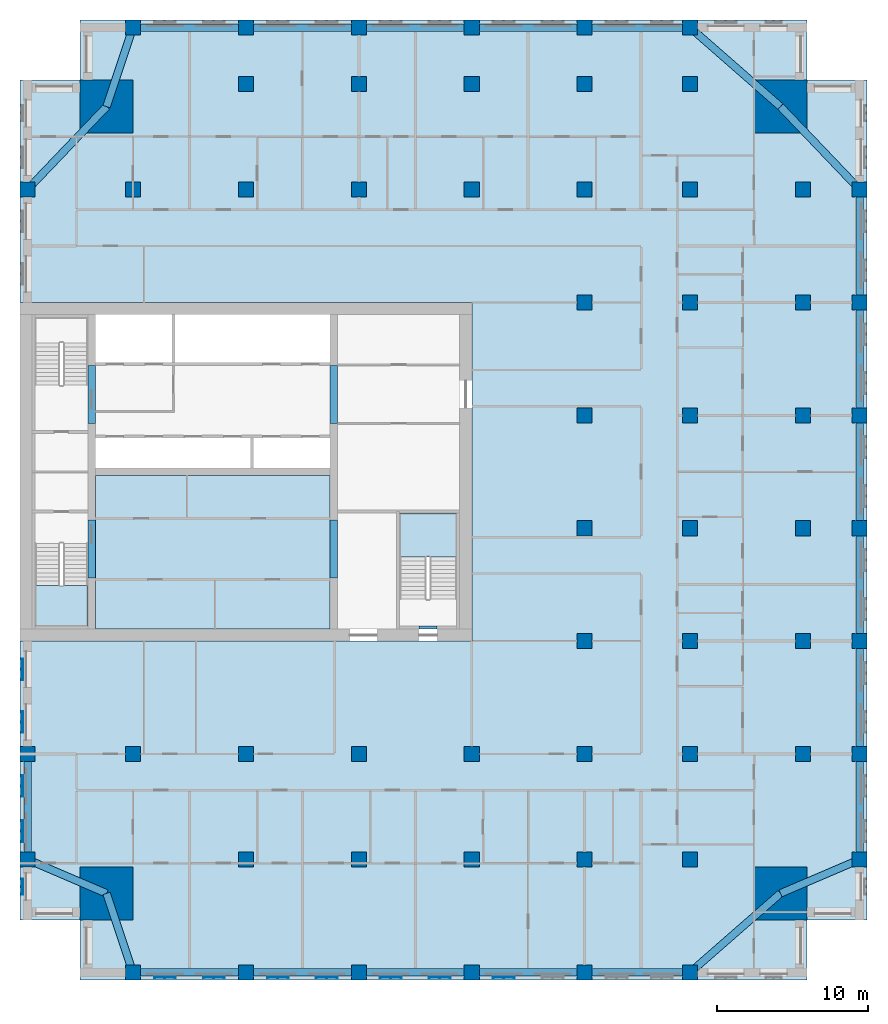
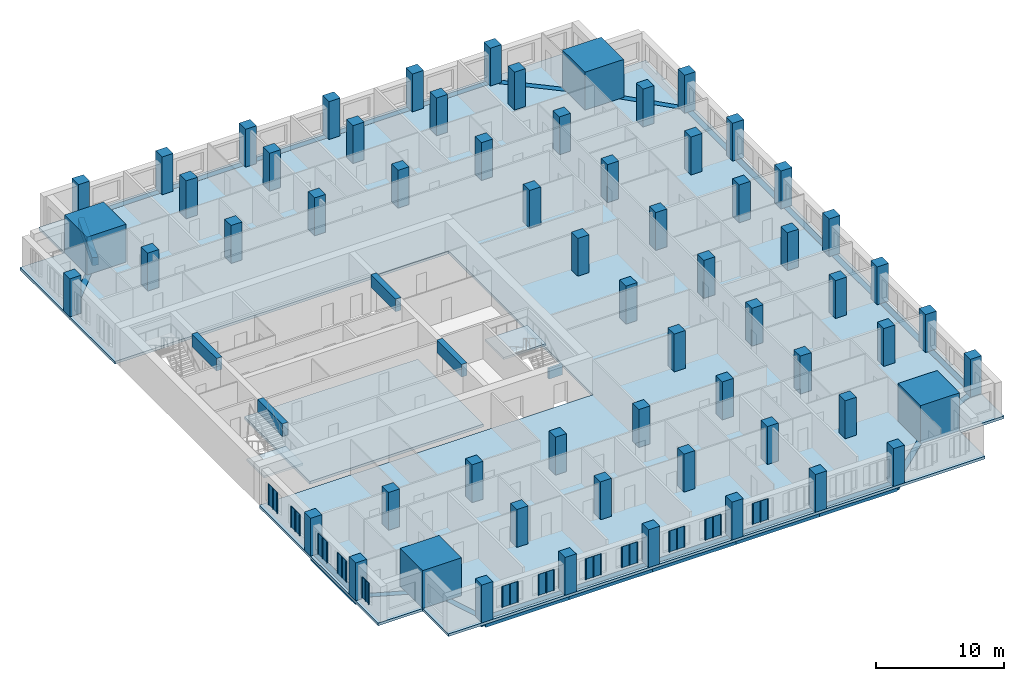
# One storey, part 1 of 14: 62 columns, 30 beams, 12 plates, 4 slabs, 2 elements without a shape of their own.
"""IFC4 building model written with IfcOpenShell, lengths in metres."""

from ifc_helpers import new_model, si_unit, direction, frame, origin, origin_2d, place, context, subcontext, project, spatial, polyline, rectangle, outline, extrude, material, layer, layer_set, material_profile, profile_set, type_object, element, aggregate, save


model = new_model("IFC4")

# Units and contexts
model_context = context("Model", 3, precision=1e-05, world=origin(), true_north=direction((0.0, 1.0)))
body_context = subcontext(model_context, "Body", "Model", "MODEL_VIEW")
ifc_project = project(units=[si_unit("LENGTHUNIT", "METRE"), si_unit("AREAUNIT", "SQUARE_METRE"), si_unit("VOLUMEUNIT", "CUBIC_METRE"), si_unit("PLANEANGLEUNIT", "RADIAN"), si_unit("MASSUNIT", "GRAM", prefix="KILO")], contexts=[model_context])

# Site, building, storey
site_placement = place(None, origin())
site = spatial("IfcSite", under=ifc_project, at=site_placement, CompositionType="ELEMENT")
building_placement = place(site_placement, origin())
building = spatial("IfcBuilding", under=site, at=building_placement, Name="Tamorin Gate", CompositionType="ELEMENT")
storey_placement = place(building_placement, frame((0.0, 0.0, 133.800048828125)))
storey = spatial("IfcBuildingStorey", under=building, at=storey_placement, Name="L32", CompositionType="ELEMENT", Elevation=133.800048828125)

# Columns
ifc_material_1 = material(Name="Concrete C70/85", Category="concrete")
ifc_material_profile_1 = material_profile(ifc_material_1, rectangle(XDim=1.0, YDim=1.0, at=origin_2d()), Name="RC 1000x1000")
ifc_profile_set_1 = profile_set([ifc_material_profile_1], Name="Concrete C70/85")
column_type_1 = type_object("IfcColumnType", Name="RC column 1000x1000 C70/85", PredefinedType="COLUMN", material=ifc_profile_set_1)
for number, where, z_axis, x_axis, name in (
    (1, (85.75, 45.5, 0.0), (0.0, 0.0, 1.0), (1.0, 0.0, 0.0), "Ring column L32"),
    (2, (85.75, 52.5, 0.0), (0.0, 0.0, 1.0), (1.0, 0.0, 0.0), "Ring column L32"),
    (3, (85.75, 60.0, 0.0), (0.0, 0.0, 1.0), (1.0, 0.0, 0.0), "Ring column L32"),
    (4, (85.75, 67.5, 0.0), (0.0, 0.0, 1.0), (1.0, 0.0, 0.0), "Ring column L32"),
    (5, (85.75, 75.0, 0.0), (0.0, 0.0, 1.0), (1.0, 0.0, 0.0), "Ring column L32"),
    (6, (85.75, 82.5, 0.0), (0.0, 0.0, 1.0), (1.0, 0.0, 0.0), "Ring column L32"),
    (7, (85.75, 90.0, 0.0), (0.0, 0.0, 1.0), (1.0, 0.0, 0.0), "Ring column L32"),
    (8, (37.5, 100.75, 0.0), (0.0, 0.0, 1.0), (1.0, 0.0, 0.0), "Ring column L32"),
    (9, (45.0, 100.75, 0.0), (0.0, 0.0, 1.0), (1.0, 0.0, 0.0), "Ring column L32"),
    (10, (52.5, 100.75, 0.0), (0.0, 0.0, 1.0), (1.0, 0.0, 0.0), "Ring column L32"),
    (11, (60.0, 100.75, 0.0), (0.0, 0.0, 1.0), (1.0, 0.0, 0.0), "Ring column L32"),
    (12, (67.5, 100.75, 0.0), (0.0, 0.0, 1.0), (1.0, 0.0, 0.0), "Ring column L32"),
    (13, (74.5, 100.75, 0.0), (0.0, 0.0, 1.0), (1.0, 0.0, 0.0), "Ring column L32"),
    (14, (30.5, 45.5, 0.0), (0.0, 0.0, 1.0), (1.0, 0.0, 0.0), "Ring column L32"),
    (15, (30.5, 52.5, 0.0), (0.0, 0.0, 1.0), (1.0, 0.0, 0.0), "Ring column L32"),
    (16, (30.5, 90.0, 0.0), (0.0, 0.0, 1.0), (1.0, 0.0, 0.0), "Ring column L32"),
    (17, (37.5, 38.0, 0.0), (0.0, 0.0, 1.0), (1.0, 0.0, 0.0), "Ring column L32"),
    (18, (37.5, 52.5, 0.0), (0.0, 0.0, 1.0), (1.0, 0.0, 0.0), "Interior column L32"),
    (19, (37.5, 90.0, 0.0), (0.0, 0.0, 1.0), (1.0, 0.0, 0.0), "Interior column L32"),
    (20, (45.0, 38.0, 0.0), (0.0, 0.0, 1.0), (1.0, 0.0, 0.0), "Ring column L32"),
    (21, (45.0, 45.5, 0.0), (0.0, 0.0, 1.0), (1.0, 0.0, 0.0), "Interior column L32"),
    (22, (45.0, 52.5, 0.0), (0.0, 0.0, 1.0), (1.0, 0.0, 0.0), "Interior column L32"),
    (23, (45.0, 90.0, 0.0), (0.0, 0.0, 1.0), (1.0, 0.0, 0.0), "Interior column L32"),
    (24, (45.0, 97.0, 0.0), (0.0, 0.0, 1.0), (1.0, 0.0, 0.0), "Interior column L32"),
    (25, (52.5, 38.0, 0.0), (0.0, 0.0, 1.0), (1.0, 0.0, 0.0), "Ring column L32"),
    (26, (52.5, 45.5, 0.0), (0.0, 0.0, 1.0), (1.0, 0.0, 0.0), "Interior column L32"),
    (27, (52.5, 52.5, 0.0), (0.0, 0.0, 1.0), (1.0, 0.0, 0.0), "Interior column L32"),
    (28, (52.5, 90.0, 0.0), (0.0, 0.0, 1.0), (1.0, 0.0, 0.0), "Interior column L32"),
    (29, (52.5, 97.0, 0.0), (0.0, 0.0, 1.0), (1.0, 0.0, 0.0), "Interior column L32"),
    (30, (60.0, 38.0, 0.0), (0.0, 0.0, 1.0), (1.0, 0.0, 0.0), "Ring column L32"),
    (31, (60.0, 45.5, 0.0), (0.0, 0.0, 1.0), (1.0, 0.0, 0.0), "Interior column L32"),
    (32, (60.0, 52.5, 0.0), (0.0, 0.0, 1.0), (1.0, 0.0, 0.0), "Interior column L32"),
    (33, (60.0, 90.0, 0.0), (0.0, 0.0, 1.0), (1.0, 0.0, 0.0), "Interior column L32"),
    (34, (60.0, 97.0, 0.0), (0.0, 0.0, 1.0), (1.0, 0.0, 0.0), "Interior column L32"),
    (35, (67.5, 38.0, 0.0), (0.0, 0.0, 1.0), (1.0, 0.0, 0.0), "Ring column L32"),
    (36, (67.5, 45.5, 0.0), (0.0, 0.0, 1.0), (1.0, 0.0, 0.0), "Interior column L32"),
    (37, (67.5, 52.5, 0.0), (0.0, 0.0, 1.0), (1.0, 0.0, 0.0), "Interior column L32"),
    (38, (67.5, 60.0, 0.0), (0.0, 0.0, 1.0), (1.0, 0.0, 0.0), "Interior column L32"),
    (39, (67.5, 67.5, 0.0), (0.0, 0.0, 1.0), (1.0, 0.0, 0.0), "Interior column L32"),
    (40, (67.5, 75.0, 0.0), (0.0, 0.0, 1.0), (1.0, 0.0, 0.0), "Interior column L32"),
    (41, (67.5, 82.5, 0.0), (0.0, 0.0, 1.0), (1.0, 0.0, 0.0), "Interior column L32"),
    (42, (67.5, 90.0, 0.0), (0.0, 0.0, 1.0), (1.0, 0.0, 0.0), "Interior column L32"),
    (43, (67.5, 97.0, 0.0), (0.0, 0.0, 1.0), (1.0, 0.0, 0.0), "Interior column L32"),
    (44, (74.5, 38.0, 0.0), (0.0, 0.0, 1.0), (1.0, 0.0, 0.0), "Ring column L32"),
    (45, (74.5, 45.5, 0.0), (0.0, 0.0, 1.0), (1.0, 0.0, 0.0), "Interior column L32"),
    (46, (74.5, 52.5, 0.0), (0.0, 0.0, 1.0), (1.0, 0.0, 0.0), "Interior column L32"),
    (47, (74.5, 60.0, 0.0), (0.0, 0.0, 1.0), (1.0, 0.0, 0.0), "Interior column L32"),
    (48, (74.5, 67.5, 0.0), (0.0, 0.0, 1.0), (1.0, 0.0, 0.0), "Interior column L32"),
    (49, (74.5, 75.0, 0.0), (0.0, 0.0, 1.0), (1.0, 0.0, 0.0), "Interior column L32"),
    (50, (74.5, 82.5, 0.0), (0.0, 0.0, 1.0), (1.0, 0.0, 0.0), "Interior column L32"),
    (51, (74.5, 90.0, 0.0), (0.0, 0.0, 1.0), (1.0, 0.0, 0.0), "Interior column L32"),
    (52, (74.5, 97.0, 0.0), (0.0, 0.0, 1.0), (1.0, 0.0, 0.0), "Interior column L32"),
    (53, (82.0, 52.5, 0.0), (0.0, 0.0, 1.0), (1.0, 0.0, 0.0), "Interior column L32"),
    (54, (82.0, 60.0, 0.0), (0.0, 0.0, 1.0), (1.0, 0.0, 0.0), "Interior column L32"),
    (55, (82.0, 67.5, 0.0), (0.0, 0.0, 1.0), (1.0, 0.0, 0.0), "Interior column L32"),
    (56, (82.0, 75.0, 0.0), (0.0, 0.0, 1.0), (1.0, 0.0, 0.0), "Interior column L32"),
    (57, (82.0, 82.5, 0.0), (0.0, 0.0, 1.0), (1.0, 0.0, 0.0), "Interior column L32"),
    (58, (82.0, 90.0, 0.0), (0.0, 0.0, 1.0), (1.0, 0.0, 0.0), "Interior column L32"),
):
    element("IfcColumn", number, at=place(storey_placement, frame(where, z_axis=z_axis, x_axis=x_axis)), inside=storey, type_object=column_type_1, Name=name, PredefinedType="COLUMN", context=body_context, shape_type="SweptSolid", body=[
        extrude(rectangle(XDim=1.0, YDim=1.0, at=origin_2d()), origin(), (0.0, 0.0, 1.0), 3.599853515625),
    ])
ifc_material_profile_2 = material_profile(ifc_material_1, rectangle(XDim=3.5, YDim=3.5, at=origin_2d()), Name="RC 3500x3500")
ifc_profile_set_2 = profile_set([ifc_material_profile_2], Name="Concrete C70/85")
column_type_2 = type_object("IfcColumnType", Name="RC column 3500x3500 C70/85", PredefinedType="COLUMN", material=ifc_profile_set_2)
for number, where, z_axis, x_axis, name in (
    (59, (35.75, 43.25, 0.0), (0.0, 0.0, 1.0), (1.0, 0.0, 0.0), "Mega column SW L32"),
    (60, (80.5, 43.25, 0.0), (0.0, 0.0, 1.0), (1.0, 0.0, 0.0), "Mega column SE L32"),
    (61, (35.75, 95.5, 0.0), (0.0, 0.0, 1.0), (1.0, 0.0, 0.0), "Mega column NW L32"),
    (62, (80.5, 95.5, 0.0), (0.0, 0.0, 1.0), (1.0, 0.0, 0.0), "Mega column NE L32"),
):
    element("IfcColumn", number, at=place(storey_placement, frame(where, z_axis=z_axis, x_axis=x_axis)), inside=storey, type_object=column_type_2, Name=name, PredefinedType="COLUMN", context=body_context, shape_type="SweptSolid", body=[
        extrude(rectangle(XDim=3.5, YDim=3.5, at=origin_2d()), origin(), (0.0, 0.0, 1.0), 3.599853515625),
    ])

# Beams
ifc_material_2 = material(Name="Concrete C60/75", Category="concrete")
ifc_material_profile_3 = material_profile(ifc_material_2, rectangle(XDim=0.5, YDim=1.199951171875, at=origin_2d()), Name="RC 500x1200")
ifc_profile_set_3 = profile_set([ifc_material_profile_3], Name="Concrete C60/75")
beam_type_1 = type_object("IfcBeamType", Name="RC coupling beam 500x1200 C60/75", PredefinedType="BEAM", material=ifc_profile_set_3)
for number, where, z_axis, x_axis, name in (
    (63, (34.75, 64.199951171875, 3.0), (0.0, 1.0, 0.0), (-1.0, 0.0, 0.0), "Coupling beam L32"),
    (64, (34.75, 74.449951171875, 3.0), (0.0, 1.0, 0.0), (-1.0, 0.0, 0.0), "Coupling beam L32"),
    (65, (50.85009765625, 64.199951171875, 3.0), (0.0, 1.0, 0.0), (-1.0, 0.0, 0.0), "Coupling beam L32"),
    (66, (50.85009765625, 74.449951171875, 3.0), (0.0, 1.0, 0.0), (-1.0, 0.0, 0.0), "Coupling beam L32"),
):
    element("IfcBeam", number, at=place(storey_placement, frame(where, z_axis=z_axis, x_axis=x_axis)), inside=storey, type_object=beam_type_1, Name=name, PredefinedType="BEAM", context=body_context, shape_type="SweptSolid", body=[
        extrude(rectangle(XDim=0.5, YDim=1.199951171875, at=origin_2d()), origin(), (0.0, 0.0, 1.0), 3.85009765625),
    ])
ifc_material_3 = material(Name="Concrete C50/60", Category="concrete")
ifc_material_profile_4 = material_profile(ifc_material_3, rectangle(XDim=0.5, YDim=0.75, at=origin_2d()), Name="RC 500x750")
ifc_profile_set_4 = profile_set([ifc_material_profile_4], Name="Concrete C50/60")
beam_type_2 = type_object("IfcBeamType", Name="RC spandrel 500x750 C50/60", PredefinedType="BEAM", material=ifc_profile_set_4)
for number, where, z_axis, x_axis, name in (
    (67, (37.5, 38.0, -0.375), (1.0, 0.0, 0.0), (0.0, 1.0, 0.0), "Spandrel beam L32"),
    (68, (45.0, 38.0, -0.375), (1.0, 0.0, 0.0), (0.0, 1.0, 0.0), "Spandrel beam L32"),
    (69, (52.5, 38.0, -0.375), (1.0, 0.0, 0.0), (0.0, 1.0, 0.0), "Spandrel beam L32"),
    (70, (60.0, 38.0, -0.375), (1.0, 0.0, 0.0), (0.0, 1.0, 0.0), "Spandrel beam L32"),
):
    element("IfcBeam", number, at=place(storey_placement, frame(where, z_axis=z_axis, x_axis=x_axis)), inside=storey, type_object=beam_type_2, Name=name, PredefinedType="BEAM", context=body_context, shape_type="SweptSolid", body=[
        extrude(rectangle(XDim=0.5, YDim=0.75, at=origin_2d()), origin(), (0.0, 0.0, 1.0), 7.5),
    ])
for number, where, z_axis, x_axis, name in (
    (71, (67.5, 38.0, -0.375), (1.0, 0.0, 0.0), (0.0, 1.0, 0.0), "Spandrel beam L32"),
    (72, (85.75, 45.5, -0.375), (0.0, 1.0, 0.0), (-1.0, 0.0, 0.0), "Spandrel beam L32"),
):
    element("IfcBeam", number, at=place(storey_placement, frame(where, z_axis=z_axis, x_axis=x_axis)), inside=storey, type_object=beam_type_2, Name=name, PredefinedType="BEAM", context=body_context, shape_type="SweptSolid", body=[
        extrude(rectangle(XDim=0.5, YDim=0.75, at=origin_2d()), origin(), (0.0, 0.0, 1.0), 7.0),
    ])
for number, where, z_axis, x_axis, name in (
    (73, (85.75, 52.5, -0.375), (0.0, 1.0, 0.0), (-1.0, 0.0, 0.0), "Spandrel beam L32"),
    (74, (85.75, 60.0, -0.375), (0.0, 1.0, 0.0), (-1.0, 0.0, 0.0), "Spandrel beam L32"),
    (75, (85.75, 67.5, -0.375), (0.0, 1.0, 0.0), (-1.0, 0.0, 0.0), "Spandrel beam L32"),
    (76, (85.75, 75.0, -0.375), (0.0, 1.0, 0.0), (-1.0, 0.0, 0.0), "Spandrel beam L32"),
    (77, (85.75, 82.5, -0.375), (0.0, 1.0, 0.0), (-1.0, 0.0, 0.0), "Spandrel beam L32"),
):
    element("IfcBeam", number, at=place(storey_placement, frame(where, z_axis=z_axis, x_axis=x_axis)), inside=storey, type_object=beam_type_2, Name=name, PredefinedType="BEAM", context=body_context, shape_type="SweptSolid", body=[
        extrude(rectangle(XDim=0.5, YDim=0.75, at=origin_2d()), origin(), (0.0, 0.0, 1.0), 7.5),
    ])
beam_1_placement = place(storey_placement, frame((74.5, 100.75, -0.375), z_axis=(-1.0, 0.0, 0.0), x_axis=(0.0, -1.0, 0.0)))
element("IfcBeam", 78, at=beam_1_placement, inside=storey, type_object=beam_type_2, Name="Spandrel beam L32", PredefinedType="BEAM", context=body_context, shape_type="SweptSolid", body=[
    extrude(rectangle(XDim=0.5, YDim=0.75, at=origin_2d()), origin(), (0.0, 0.0, 1.0), 7.0),
])
for number, where, z_axis, x_axis, name in (
    (79, (67.5, 100.75, -0.375), (-1.0, 0.0, 0.0), (0.0, -1.0, 0.0), "Spandrel beam L32"),
    (80, (60.0, 100.75, -0.375), (-1.0, 0.0, 0.0), (0.0, -1.0, 0.0), "Spandrel beam L32"),
    (81, (52.5, 100.75, -0.375), (-1.0, 0.0, 0.0), (0.0, -1.0, 0.0), "Spandrel beam L32"),
    (82, (45.0, 100.75, -0.375), (-1.0, 0.0, 0.0), (0.0, -1.0, 0.0), "Spandrel beam L32"),
):
    element("IfcBeam", number, at=place(storey_placement, frame(where, z_axis=z_axis, x_axis=x_axis)), inside=storey, type_object=beam_type_2, Name=name, PredefinedType="BEAM", context=body_context, shape_type="SweptSolid", body=[
        extrude(rectangle(XDim=0.5, YDim=0.75, at=origin_2d()), origin(), (0.0, 0.0, 1.0), 7.5),
    ])
beam_2_placement = place(storey_placement, frame((30.5, 52.5, -0.375), z_axis=(0.0, -1.0, 0.0), x_axis=(1.0, 0.0, 0.0)))
element("IfcBeam", 83, at=beam_2_placement, inside=storey, type_object=beam_type_2, Name="Spandrel beam L32", PredefinedType="BEAM", context=body_context, shape_type="SweptSolid", body=[
    extrude(rectangle(XDim=0.5, YDim=0.75, at=origin_2d()), origin(), (0.0, 0.0, 1.0), 7.0),
])
beam_3_placement = place(storey_placement, frame((35.75, 43.25, -0.375), z_axis=(0.316227766017, -0.948683298051, 0.0), x_axis=(0.948683298051, 0.316227766017, 0.0)))
element("IfcBeam", 84, at=beam_3_placement, inside=storey, type_object=beam_type_2, Name="Corner tie beam L32", PredefinedType="BEAM", context=body_context, shape_type="SweptSolid", body=[
    extrude(rectangle(XDim=0.5, YDim=0.75, at=origin_2d()), origin(), (0.0, 0.0, 1.0), 5.533935546875),
])
for number, where, z_axis, x_axis, name in (
    (85, (35.75, 43.25, -0.375), (-0.919145030018, 0.393919298579, 0.0), (-0.393919298579, -0.919145030018, 0.0), "Corner tie beam L32"),
    (86, (80.5, 43.25, -0.375), (0.919145030018, 0.393919298579, 0.0), (-0.393919298579, 0.919145030018, 0.0), "Corner tie beam L32"),
):
    element("IfcBeam", number, at=place(storey_placement, frame(where, z_axis=z_axis, x_axis=x_axis)), inside=storey, type_object=beam_type_2, Name=name, PredefinedType="BEAM", context=body_context, shape_type="SweptSolid", body=[
        extrude(rectangle(XDim=0.5, YDim=0.75, at=origin_2d()), origin(), (0.0, 0.0, 1.0), 5.7119140625),
    ])
beam_4_placement = place(storey_placement, frame((80.5, 43.25, -0.375), z_axis=(-0.752576694707, -0.658504607869, 0.0), x_axis=(0.658504607869, -0.752576694707, 0.0)))
element("IfcBeam", 87, at=beam_4_placement, inside=storey, type_object=beam_type_2, Name="Corner tie beam L32", PredefinedType="BEAM", context=body_context, shape_type="SweptSolid", body=[
    extrude(rectangle(XDim=0.5, YDim=0.75, at=origin_2d()), origin(), (0.0, 0.0, 1.0), 7.97265625),
])
beam_5_placement = place(storey_placement, frame((35.75, 95.5, -0.375), z_axis=(0.316227766017, 0.948683298051, 0.0), x_axis=(-0.948683298051, 0.316227766017, 0.0)))
element("IfcBeam", 88, at=beam_5_placement, inside=storey, type_object=beam_type_2, Name="Corner tie beam L32", PredefinedType="BEAM", context=body_context, shape_type="SweptSolid", body=[
    extrude(rectangle(XDim=0.5, YDim=0.75, at=origin_2d()), origin(), (0.0, 0.0, 1.0), 5.533935546875),
])
for number, where, z_axis, x_axis, name in (
    (89, (35.75, 95.5, -0.375), (-0.690475746683, -0.723355544144, 0.0), (0.723355544144, -0.690475746683, 0.0), "Corner tie beam L32"),
    (90, (80.5, 95.5, -0.375), (0.690475746683, -0.723355544144, 0.0), (0.723355544144, 0.690475746683, 0.0), "Corner tie beam L32"),
):
    element("IfcBeam", number, at=place(storey_placement, frame(where, z_axis=z_axis, x_axis=x_axis)), inside=storey, type_object=beam_type_2, Name=name, PredefinedType="BEAM", context=body_context, shape_type="SweptSolid", body=[
        extrude(rectangle(XDim=0.5, YDim=0.75, at=origin_2d()), origin(), (0.0, 0.0, 1.0), 7.603515625),
    ])
beam_6_placement = place(storey_placement, frame((80.5, 95.5, -0.375), z_axis=(-0.752576694707, 0.658504607869, 0.0), x_axis=(-0.658504607869, -0.752576694707, 0.0)))
element("IfcBeam", 91, at=beam_6_placement, inside=storey, type_object=beam_type_2, Name="Corner tie beam L32", PredefinedType="BEAM", context=body_context, shape_type="SweptSolid", body=[
    extrude(rectangle(XDim=0.5, YDim=0.75, at=origin_2d()), origin(), (0.0, 0.0, 1.0), 7.97265625),
])
ifc_material_profile_5 = material_profile(ifc_material_2, rectangle(XDim=0.199951171875, YDim=1.0, at=origin_2d()))
ifc_profile_set_5 = profile_set([ifc_material_profile_5], Name="Concrete C60/75")
beam_type_3 = type_object("IfcBeamType", Name="Stair lintel 200x1000 C60/75", PredefinedType="BEAM", material=ifc_profile_set_5)
beam_7_placement = place(storey_placement, frame((56.5, 60.89990234375, 2.699951171875), z_axis=(1.0, 0.0, 0.0), x_axis=(0.0, 1.0, 0.0)))
element("IfcBeam", 92, at=beam_7_placement, inside=storey, type_object=beam_type_3, Name="Stair lintel", PredefinedType="BEAM", context=body_context, shape_type="SweptSolid", body=[
    extrude(rectangle(XDim=0.199951171875, YDim=1.0, at=origin_2d()), origin(), (0.0, 0.0, 1.0), 1.199951171875),
])

# Slab
ifc_material_4 = material(Name="Concrete C40/50", Category="concrete")
ifc_layer_1 = layer(ifc_material_4, 0.25)
ifc_layer_set_1 = layer_set([ifc_layer_1], Name="Core floor slab 250 C40/50")
slab_type_1 = type_object("IfcSlabType", Name="Core floor slab 250 C40/50", PredefinedType="FLOOR", material=ifc_layer_set_1)
slab_1_placement = place(storey_placement, frame((0.0, 0.0, -0.25)))
element("IfcSlab", 93, at=slab_1_placement, inside=storey, type_object=slab_type_1, Name="Core floor L32", PredefinedType="FLOOR", context=body_context, shape_type="SweptSolid", body=[
    extrude(outline(polyline([(50.60009765625, 71.0), (50.60009765625, 60.800048828125), (35.0, 60.800048828125), (35.0, 71.0), (50.60009765625, 71.0)])), origin(), (0.0, 0.0, 1.0), 0.25),
])

# Stair, slab
stair_type = type_object("IfcStairType", Name="Exit stair", PredefinedType="HALF_TURN_STAIR", material=ifc_material_4)
stair_1_placement = place(storey_placement, origin())
stair_1 = element("IfcStair", 94, at=stair_1_placement, inside=storey, type_object=stair_type, Name="L32 stair ST1", PredefinedType="HALF_TURN_STAIR")
ifc_layer_2 = layer(ifc_material_4, 0.199951171875)
ifc_layer_set_2 = layer_set([ifc_layer_2], Name="Exit stair landing 200")
slab_type_2 = type_object("IfcSlabType", Name="Exit stair landing 200", PredefinedType="LANDING", material=ifc_layer_set_2)
slab_2_placement = place(storey_placement, frame((0.0, 0.0, 1.599853515625)))
slab_2 = element("IfcSlab", 95, at=slab_2_placement, type_object=slab_type_2, Name="ST1 landing 1", PredefinedType="LANDING", context=body_context, shape_type="SweptSolid", body=[
    extrude(outline(polyline([(31.0, 63.699951171875), (31.0, 61.0), (34.5, 61.0), (34.5, 63.699951171875), (31.0, 63.699951171875)])), origin(), (0.0, 0.0, 1.0), 0.2001953125),
])
aggregate(stair_1, [slab_2])

stair_2_placement = place(storey_placement, origin())
stair_2 = element("IfcStair", 96, at=stair_2_placement, inside=storey, type_object=stair_type, Name="L32 stair ST3", PredefinedType="HALF_TURN_STAIR")
slab_3_placement = place(storey_placement, frame((0.0, 0.0, 1.599853515625)))
slab_3 = element("IfcSlab", 97, at=slab_3_placement, type_object=slab_type_2, Name="ST3 landing 1", PredefinedType="LANDING", context=body_context, shape_type="SweptSolid", body=[
    extrude(outline(polyline([(59.0, 65.60009765625), (59.0, 68.5), (55.199951171875, 68.5), (55.199951171875, 65.60009765625), (59.0, 65.60009765625)])), origin(), (0.0, 0.0, 1.0), 0.2001953125),
])
aggregate(stair_2, [slab_3])

# Slab
ifc_layer_3 = layer(ifc_material_4, 0.25)
ifc_layer_set_3 = layer_set([ifc_layer_3], Name="Floor slab 250 C40/50")
slab_type_3 = type_object("IfcSlabType", Name="Floor slab 250 C40/50", PredefinedType="FLOOR", material=ifc_layer_set_3)
slab_4_placement = place(storey_placement, frame((0.0, 0.0, -0.25)))
element("IfcSlab", 98, at=slab_4_placement, inside=storey, type_object=slab_type_3, Name="Floor L32", PredefinedType="FLOOR", context=body_context, shape_type="SweptSolid", body=[
    extrude(outline(polyline([(30.0, 97.25), (34.0, 97.25), (34.0, 101.25), (82.25, 101.25), (82.25, 97.25), (86.25, 97.25), (86.25, 41.5), (82.25, 41.5), (82.25, 37.5), (34.0, 37.5), (34.0, 41.5), (30.0, 41.5), (30.0, 60.0), (60.0, 60.0), (60.0, 82.5), (30.0, 82.5), (30.0, 97.25)])), origin(), (0.0, 0.0, 1.0), 0.25),
])

# Plates
ifc_material_5 = material(Name="Perforated pale aluminium sheet", Category="aluminium")
ifc_layer_4 = layer(ifc_material_5, 0.0400390625)
ifc_layer_set_4 = layer_set([ifc_layer_4], Name="Pale metal solar screen 1080")
plate_type_1 = type_object("IfcPlateType", Name="Pale metal solar screen 1080", PredefinedType="SHEET", material=ifc_layer_set_4)
plate_1_placement = place(storey_placement, frame((0.0, 0.0, 0.7099609375)))
element("IfcPlate", 99, at=plate_1_placement, inside=storey, type_object=plate_type_1, Name="Perforated solar screen", PredefinedType="SHEET", context=body_context, shape_type="SweptSolid", body=[
    extrude(outline(polyline([(30.159912109375, 44.239990234375), (30.199951171875, 44.239990234375), (30.199951171875, 44.179931640625), (30.199951171875, 43.72998046875), (30.199951171875, 43.669921875), (30.199951171875, 43.219970703125), (30.199951171875, 43.159912109375), (30.159912109375, 43.159912109375), (30.10009765625, 43.159912109375), (30.10009765625, 43.219970703125), (30.159912109375, 43.219970703125), (30.159912109375, 43.669921875), (30.10009765625, 43.669921875), (30.10009765625, 43.72998046875), (30.159912109375, 43.72998046875), (30.159912109375, 44.179931640625), (30.10009765625, 44.179931640625), (30.10009765625, 44.239990234375), (30.159912109375, 44.239990234375)])), origin(), (0.0, 0.0, 1.0), 1.97998046875),
])
ifc_layer_5 = layer(ifc_material_5, 0.0400390625)
ifc_layer_set_5 = layer_set([ifc_layer_5], Name="Pale metal solar screen 1440")
plate_type_2 = type_object("IfcPlateType", Name="Pale metal solar screen 1440", PredefinedType="SHEET", material=ifc_layer_set_5)
plate_2_placement = place(storey_placement, frame((0.0, 0.0, 0.7099609375)))
element("IfcPlate", 100, at=plate_2_placement, inside=storey, type_object=plate_type_2, Name="Perforated solar screen", PredefinedType="SHEET", context=body_context, shape_type="SweptSolid", body=[
    extrude(outline(polyline([(38.905029296875, 37.659912109375), (38.905029296875, 37.699951171875), (38.965087890625, 37.699951171875), (39.594970703125, 37.699951171875), (39.655029296875, 37.699951171875), (40.284912109375, 37.699951171875), (40.344970703125, 37.699951171875), (40.344970703125, 37.699951171875), (40.344970703125, 37.659912109375), (40.344970703125, 37.659912109375), (40.344970703125, 37.60009765625), (40.284912109375, 37.60009765625), (40.284912109375, 37.659912109375), (39.655029296875, 37.659912109375), (39.655029296875, 37.60009765625), (39.594970703125, 37.60009765625), (39.594970703125, 37.659912109375), (38.965087890625, 37.659912109375), (38.965087890625, 37.60009765625), (38.905029296875, 37.60009765625), (38.905029296875, 37.659912109375)])), origin(), (0.0, 0.0, 1.0), 1.97998046875),
])
plate_3_placement = place(storey_placement, frame((0.0, 0.0, 0.7099609375)))
element("IfcPlate", 101, at=plate_3_placement, inside=storey, type_object=plate_type_2, Name="Perforated solar screen", PredefinedType="SHEET", context=body_context, shape_type="SweptSolid", body=[
    extrude(outline(polyline([(42.155029296875, 37.659912109375), (42.155029296875, 37.699951171875), (42.215087890625, 37.699951171875), (42.844970703125, 37.699951171875), (42.905029296875, 37.699951171875), (43.534912109375, 37.699951171875), (43.594970703125, 37.699951171875), (43.594970703125, 37.659912109375), (43.594970703125, 37.60009765625), (43.534912109375, 37.60009765625), (43.534912109375, 37.659912109375), (42.905029296875, 37.659912109375), (42.905029296875, 37.60009765625), (42.844970703125, 37.60009765625), (42.844970703125, 37.659912109375), (42.215087890625, 37.659912109375), (42.215087890625, 37.60009765625), (42.155029296875, 37.60009765625), (42.155029296875, 37.659912109375)])), origin(), (0.0, 0.0, 1.0), 1.97998046875),
])
plate_4_placement = place(storey_placement, frame((0.0, 0.0, 0.7099609375)))
element("IfcPlate", 102, at=plate_4_placement, inside=storey, type_object=plate_type_2, Name="Perforated solar screen", PredefinedType="SHEET", context=body_context, shape_type="SweptSolid", body=[
    extrude(outline(polyline([(46.405029296875, 37.659912109375), (46.405029296875, 37.699951171875), (46.465087890625, 37.699951171875), (47.094970703125, 37.699951171875), (47.155029296875, 37.699951171875), (47.784912109375, 37.699951171875), (47.844970703125, 37.699951171875), (47.844970703125, 37.659912109375), (47.844970703125, 37.60009765625), (47.784912109375, 37.60009765625), (47.784912109375, 37.659912109375), (47.155029296875, 37.659912109375), (47.155029296875, 37.60009765625), (47.094970703125, 37.60009765625), (47.094970703125, 37.659912109375), (46.465087890625, 37.659912109375), (46.465087890625, 37.60009765625), (46.405029296875, 37.60009765625), (46.405029296875, 37.659912109375)])), origin(), (0.0, 0.0, 1.0), 1.97998046875),
])
plate_5_placement = place(storey_placement, frame((0.0, 0.0, 0.7099609375)))
element("IfcPlate", 103, at=plate_5_placement, inside=storey, type_object=plate_type_2, Name="Perforated solar screen", PredefinedType="SHEET", context=body_context, shape_type="SweptSolid", body=[
    extrude(outline(polyline([(49.655029296875, 37.659912109375), (49.655029296875, 37.699951171875), (49.715087890625, 37.699951171875), (50.344970703125, 37.699951171875), (50.405029296875, 37.699951171875), (51.034912109375, 37.699951171875), (51.094970703125, 37.699951171875), (51.094970703125, 37.659912109375), (51.094970703125, 37.60009765625), (51.034912109375, 37.60009765625), (51.034912109375, 37.659912109375), (50.405029296875, 37.659912109375), (50.405029296875, 37.60009765625), (50.344970703125, 37.60009765625), (50.344970703125, 37.659912109375), (49.715087890625, 37.659912109375), (49.715087890625, 37.60009765625), (49.655029296875, 37.60009765625), (49.655029296875, 37.659912109375)])), origin(), (0.0, 0.0, 1.0), 1.97998046875),
])
plate_6_placement = place(storey_placement, frame((0.0, 0.0, 0.7099609375)))
element("IfcPlate", 104, at=plate_6_placement, inside=storey, type_object=plate_type_2, Name="Perforated solar screen", PredefinedType="SHEET", context=body_context, shape_type="SweptSolid", body=[
    extrude(outline(polyline([(53.905029296875, 37.659912109375), (53.905029296875, 37.699951171875), (53.965087890625, 37.699951171875), (54.594970703125, 37.699951171875), (54.655029296875, 37.699951171875), (55.284912109375, 37.699951171875), (55.344970703125, 37.699951171875), (55.344970703125, 37.659912109375), (55.344970703125, 37.60009765625), (55.284912109375, 37.60009765625), (55.284912109375, 37.659912109375), (54.655029296875, 37.659912109375), (54.655029296875, 37.60009765625), (54.594970703125, 37.60009765625), (54.594970703125, 37.659912109375), (53.965087890625, 37.659912109375), (53.965087890625, 37.60009765625), (53.905029296875, 37.60009765625), (53.905029296875, 37.659912109375)])), origin(), (0.0, 0.0, 1.0), 1.97998046875),
])
plate_7_placement = place(storey_placement, frame((0.0, 0.0, 0.7099609375)))
element("IfcPlate", 105, at=plate_7_placement, inside=storey, type_object=plate_type_2, Name="Perforated solar screen", PredefinedType="SHEET", context=body_context, shape_type="SweptSolid", body=[
    extrude(outline(polyline([(57.155029296875, 37.659912109375), (57.155029296875, 37.699951171875), (57.215087890625, 37.699951171875), (57.844970703125, 37.699951171875), (57.905029296875, 37.699951171875), (58.534912109375, 37.699951171875), (58.594970703125, 37.699951171875), (58.594970703125, 37.659912109375), (58.594970703125, 37.60009765625), (58.534912109375, 37.60009765625), (58.534912109375, 37.659912109375), (57.905029296875, 37.659912109375), (57.905029296875, 37.60009765625), (57.844970703125, 37.60009765625), (57.844970703125, 37.659912109375), (57.215087890625, 37.659912109375), (57.215087890625, 37.60009765625), (57.155029296875, 37.60009765625), (57.155029296875, 37.659912109375)])), origin(), (0.0, 0.0, 1.0), 1.97998046875),
])
plate_8_placement = place(storey_placement, frame((0.0, 0.0, 0.7099609375)))
element("IfcPlate", 106, at=plate_8_placement, inside=storey, type_object=plate_type_2, Name="Perforated solar screen", PredefinedType="SHEET", context=body_context, shape_type="SweptSolid", body=[
    extrude(outline(polyline([(61.405029296875, 37.659912109375), (61.405029296875, 37.699951171875), (61.465087890625, 37.699951171875), (62.094970703125, 37.699951171875), (62.155029296875, 37.699951171875), (62.784912109375, 37.699951171875), (62.844970703125, 37.699951171875), (62.844970703125, 37.659912109375), (62.844970703125, 37.60009765625), (62.784912109375, 37.60009765625), (62.784912109375, 37.659912109375), (62.155029296875, 37.659912109375), (62.155029296875, 37.60009765625), (62.094970703125, 37.60009765625), (62.094970703125, 37.659912109375), (61.465087890625, 37.659912109375), (61.465087890625, 37.60009765625), (61.405029296875, 37.60009765625), (61.405029296875, 37.659912109375)])), origin(), (0.0, 0.0, 1.0), 1.97998046875),
])
plate_9_placement = place(storey_placement, frame((0.0, 0.0, 0.7099609375)))
element("IfcPlate", 107, at=plate_9_placement, inside=storey, type_object=plate_type_2, Name="Perforated solar screen", PredefinedType="SHEET", context=body_context, shape_type="SweptSolid", body=[
    extrude(outline(polyline([(30.159912109375, 55.344970703125), (30.199951171875, 55.344970703125), (30.199951171875, 55.284912109375), (30.199951171875, 54.655029296875), (30.199951171875, 54.594970703125), (30.199951171875, 53.965087890625), (30.199951171875, 53.905029296875), (30.159912109375, 53.905029296875), (30.10009765625, 53.905029296875), (30.10009765625, 53.965087890625), (30.159912109375, 53.965087890625), (30.159912109375, 54.594970703125), (30.10009765625, 54.594970703125), (30.10009765625, 54.655029296875), (30.159912109375, 54.655029296875), (30.159912109375, 55.284912109375), (30.10009765625, 55.284912109375), (30.10009765625, 55.344970703125), (30.159912109375, 55.344970703125)])), origin(), (0.0, 0.0, 1.0), 1.97998046875),
])
plate_10_placement = place(storey_placement, frame((0.0, 0.0, 0.7099609375)))
element("IfcPlate", 108, at=plate_10_placement, inside=storey, type_object=plate_type_2, Name="Perforated solar screen", PredefinedType="SHEET", context=body_context, shape_type="SweptSolid", body=[
    extrude(outline(polyline([(30.159912109375, 58.844970703125), (30.199951171875, 58.844970703125), (30.199951171875, 58.784912109375), (30.199951171875, 58.155029296875), (30.199951171875, 58.094970703125), (30.199951171875, 57.465087890625), (30.199951171875, 57.405029296875), (30.159912109375, 57.405029296875), (30.10009765625, 57.405029296875), (30.10009765625, 57.465087890625), (30.159912109375, 57.465087890625), (30.159912109375, 58.094970703125), (30.10009765625, 58.094970703125), (30.10009765625, 58.155029296875), (30.159912109375, 58.155029296875), (30.159912109375, 58.784912109375), (30.10009765625, 58.784912109375), (30.10009765625, 58.844970703125), (30.159912109375, 58.844970703125)])), origin(), (0.0, 0.0, 1.0), 1.97998046875),
])
plate_11_placement = place(storey_placement, frame((0.0, 0.0, 0.7099609375)))
element("IfcPlate", 109, at=plate_11_placement, inside=storey, type_object=plate_type_2, Name="Perforated solar screen", PredefinedType="SHEET", context=body_context, shape_type="SweptSolid", body=[
    extrude(outline(polyline([(30.159912109375, 48.094970703125), (30.199951171875, 48.094970703125), (30.199951171875, 48.034912109375), (30.199951171875, 47.405029296875), (30.199951171875, 47.344970703125), (30.199951171875, 46.715087890625), (30.199951171875, 46.655029296875), (30.159912109375, 46.655029296875), (30.10009765625, 46.655029296875), (30.10009765625, 46.715087890625), (30.159912109375, 46.715087890625), (30.159912109375, 47.344970703125), (30.10009765625, 47.344970703125), (30.10009765625, 47.405029296875), (30.159912109375, 47.405029296875), (30.159912109375, 48.034912109375), (30.10009765625, 48.034912109375), (30.10009765625, 48.094970703125), (30.159912109375, 48.094970703125)])), origin(), (0.0, 0.0, 1.0), 1.97998046875),
])
plate_12_placement = place(storey_placement, frame((0.0, 0.0, 0.7099609375)))
element("IfcPlate", 110, at=plate_12_placement, inside=storey, type_object=plate_type_2, Name="Perforated solar screen", PredefinedType="SHEET", context=body_context, shape_type="SweptSolid", body=[
    extrude(outline(polyline([(30.159912109375, 51.094970703125), (30.199951171875, 51.094970703125), (30.199951171875, 51.034912109375), (30.199951171875, 50.405029296875), (30.199951171875, 50.344970703125), (30.199951171875, 49.715087890625), (30.199951171875, 49.655029296875), (30.159912109375, 49.655029296875), (30.10009765625, 49.655029296875), (30.10009765625, 49.715087890625), (30.159912109375, 49.715087890625), (30.159912109375, 50.344970703125), (30.10009765625, 50.344970703125), (30.10009765625, 50.405029296875), (30.159912109375, 50.405029296875), (30.159912109375, 51.034912109375), (30.10009765625, 51.034912109375), (30.10009765625, 51.094970703125), (30.159912109375, 51.094970703125)])), origin(), (0.0, 0.0, 1.0), 1.97998046875),
])

save(model, "model.ifc")
